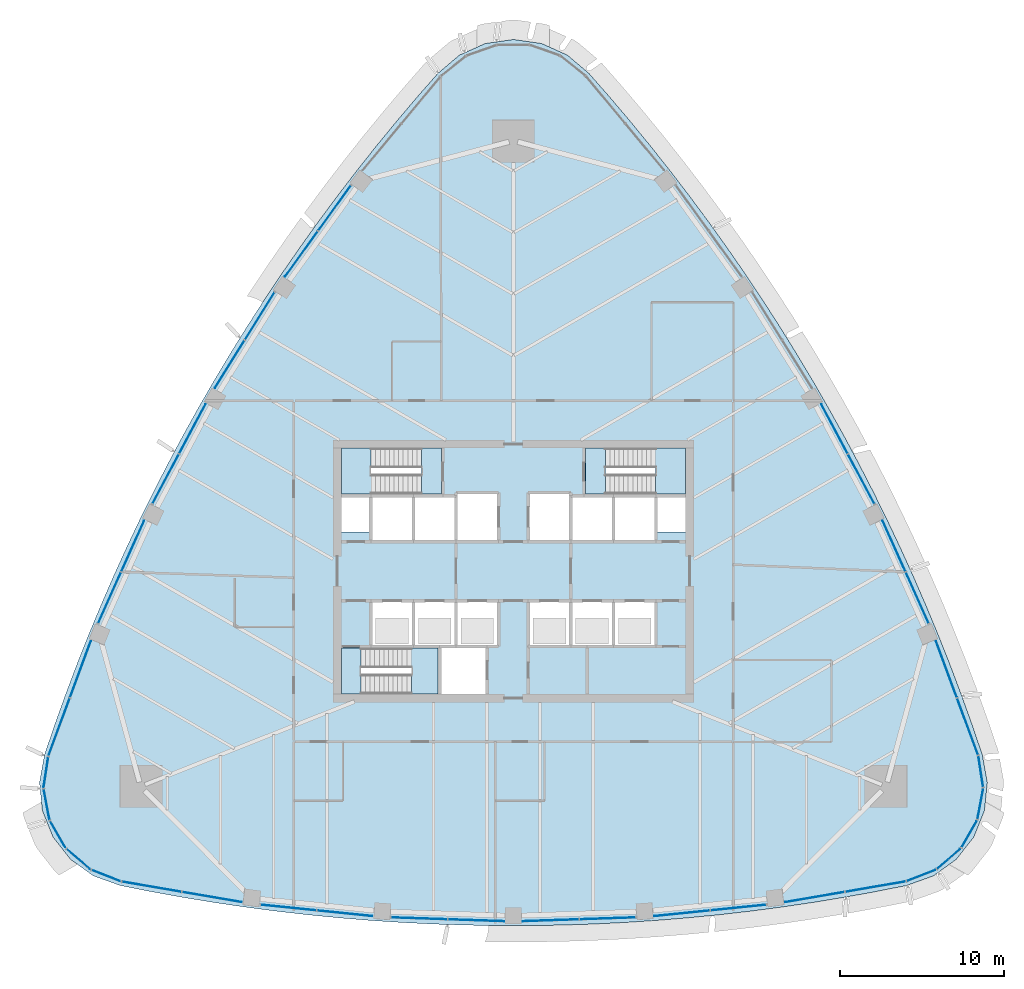
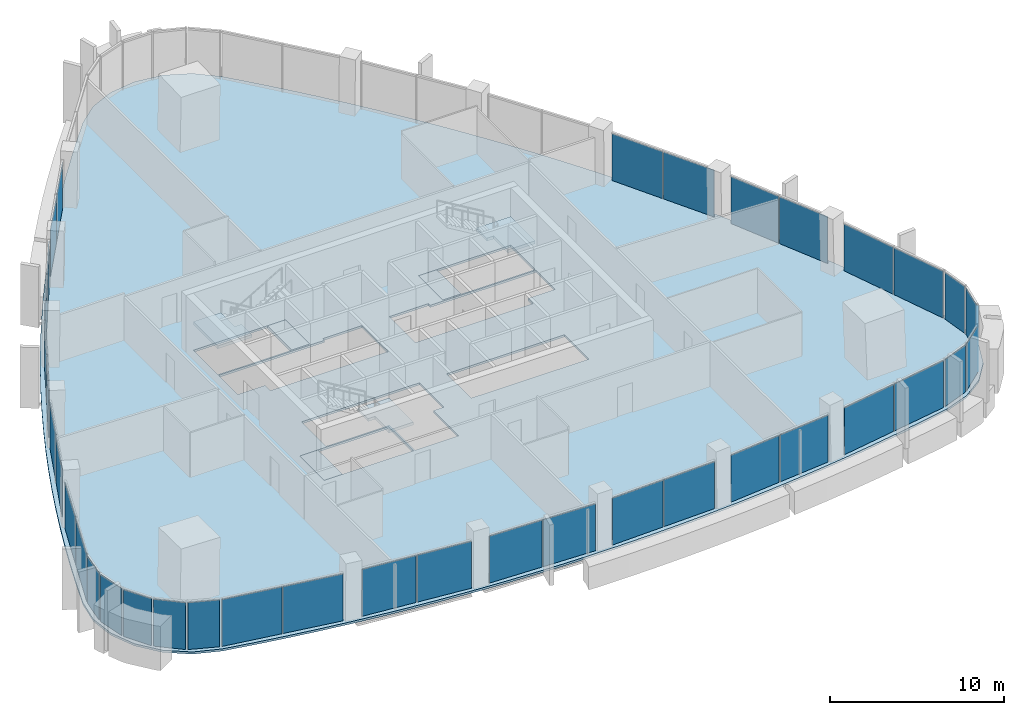
# One storey, part 8 of 19: 38 plates, 7 slabs, 27 elements without a shape of their own.
"""IFC4 building model written with IfcOpenShell, lengths in metres."""

from ifc_helpers import new_model, si_unit, direction, frame, origin, origin_2d, place, context, subcontext, project, spatial, polyline, rectangle, outline, extrude, material, layer, layer_set, type_object, element, aggregate, save


model = new_model("IFC4")

# Units and contexts
model_context = context("Model", 3, precision=1e-05, world=origin(), true_north=direction((0.0, 1.0)))
body_context = subcontext(model_context, "Body", "Model", "MODEL_VIEW")
ifc_project = project(units=[si_unit("LENGTHUNIT", "METRE"), si_unit("AREAUNIT", "SQUARE_METRE"), si_unit("VOLUMEUNIT", "CUBIC_METRE"), si_unit("PLANEANGLEUNIT", "RADIAN"), si_unit("MASSUNIT", "GRAM", prefix="KILO")], contexts=[model_context])

# Site, building, storey
site_placement = place(None, origin())
site = spatial("IfcSite", under=ifc_project, at=site_placement, CompositionType="ELEMENT")
building_placement = place(site_placement, origin())
building = spatial("IfcBuilding", under=site, at=building_placement, Name="Sierra Prisma Convention Tower", CompositionType="ELEMENT")
storey_placement = place(building_placement, frame((0.0, 0.0, 209.800048828125)))
storey = spatial("IfcBuildingStorey", under=building, at=storey_placement, Name="L47", CompositionType="ELEMENT", Elevation=209.800048828125)

# Curtain wall, plates
ifc_material_1 = material(Name="Aluminium and glass curtain wall", Category="aluminium")
ifc_layer_1 = layer(ifc_material_1, 0.179931640625)
ifc_layer_set_1 = layer_set([ifc_layer_1], Name="CW-1 Plain shaft curtain wall")
curtain_wall_type = type_object("IfcCurtainWallType", Name="CW-1 Plain shaft curtain wall", PredefinedType="NOTDEFINED", material=ifc_layer_set_1)
curtain_wall_1_placement = place(storey_placement, origin())
curtain_wall_1 = element("IfcCurtainWall", 1, at=curtain_wall_1_placement, inside=storey, type_object=curtain_wall_type, Name="CW-1 S1 L47", PredefinedType="NOTDEFINED")
ifc_material_2 = material(Name="Tinted glass bronze-grey IGU", Category="glass")
ifc_layer_2 = layer(ifc_material_2, 0.028076171875)
ifc_layer_set_2 = layer_set([ifc_layer_2], Name="CW-1 glass panel")
plate_type = type_object("IfcPlateType", Name="CW-1 glass panel", PredefinedType="CURTAIN_PANEL", material=ifc_layer_set_2)
plate_1_placement = place(storey_placement, frame((-22.064697265625, -19.248779296875, 0.0), z_axis=(0.0, 0.0, 1.0), x_axis=(0.985606551984, -0.1690553894, 0.0)))
plate_1 = element("IfcPlate", 2, at=plate_1_placement, type_object=plate_type, Name="CW-1 panel S1.1", PredefinedType="CURTAIN_PANEL", context=body_context, shape_type="SweptSolid", body=[
    extrude(rectangle(XDim=3.66162109375, YDim=0.028076171875, at=origin_2d()), origin(), (0.0, 0.0, 1.0), 3.280029296875),
])
plate_2_placement = place(storey_placement, frame((-18.38671875, -19.879638671875, 0.0), z_axis=(0.0, 0.0, 1.0), x_axis=(0.985606551984, -0.1690553894, 0.0)))
plate_2 = element("IfcPlate", 3, at=plate_2_placement, type_object=plate_type, Name="CW-1 panel S1.2", PredefinedType="CURTAIN_PANEL", context=body_context, shape_type="SweptSolid", body=[
    extrude(rectangle(XDim=3.66162109375, YDim=0.028076171875, at=origin_2d()), origin(), (0.0, 0.0, 1.0), 3.280029296875),
])
aggregate(curtain_wall_1, [plate_1, plate_2])

curtain_wall_2_placement = place(storey_placement, origin())
curtain_wall_2 = element("IfcCurtainWall", 4, at=curtain_wall_2_placement, inside=storey, type_object=curtain_wall_type, Name="CW-1 S2 L47", PredefinedType="NOTDEFINED")
plate_3_placement = place(storey_placement, frame((-13.72314453125, -20.5205078125, 0.0), z_axis=(0.0, 0.0, 1.0), x_axis=(0.994810375424, -0.101746336288, 0.0)))
plate_3 = element("IfcPlate", 5, at=plate_3_placement, type_object=plate_type, Name="CW-1 panel S2.1", PredefinedType="CURTAIN_PANEL", context=body_context, shape_type="SweptSolid", body=[
    extrude(rectangle(XDim=3.389404296875, YDim=0.028076171875, at=origin_2d()), origin(), (0.0, 0.0, 1.0), 3.280029296875),
])
plate_4_placement = place(storey_placement, frame((-10.28173828125, -20.872314453125, 0.0), z_axis=(0.0, 0.0, 1.0), x_axis=(0.994810375424, -0.101746336288, 0.0)))
plate_4 = element("IfcPlate", 6, at=plate_4_placement, type_object=plate_type, Name="CW-1 panel S2.2", PredefinedType="CURTAIN_PANEL", context=body_context, shape_type="SweptSolid", body=[
    extrude(rectangle(XDim=3.389404296875, YDim=0.028076171875, at=origin_2d()), origin(), (0.0, 0.0, 1.0), 3.280029296875),
])
aggregate(curtain_wall_2, [plate_3, plate_4])

curtain_wall_3_placement = place(storey_placement, origin())
curtain_wall_3 = element("IfcCurtainWall", 7, at=curtain_wall_3_placement, inside=storey, type_object=curtain_wall_type, Name="CW-1 S3 L47", PredefinedType="NOTDEFINED")
plate_5_placement = place(storey_placement, frame((-5.744873046875, -21.180419921875, 0.0), z_axis=(0.0, 0.0, 1.0), x_axis=(0.999422931121, -0.033967701551, 0.0)))
plate_5 = element("IfcPlate", 8, at=plate_5_placement, type_object=plate_type, Name="CW-1 panel S3.1", PredefinedType="CURTAIN_PANEL", context=body_context, shape_type="SweptSolid", body=[
    extrude(rectangle(XDim=3.405517578125, YDim=0.028076171875, at=origin_2d()), origin(), (0.0, 0.0, 1.0), 3.280029296875),
])
plate_6_placement = place(storey_placement, frame((-2.271484375, -21.298583984375, 0.0), z_axis=(0.0, 0.0, 1.0), x_axis=(0.999422931121, -0.033967701551, 0.0)))
plate_6 = element("IfcPlate", 9, at=plate_6_placement, type_object=plate_type, Name="CW-1 panel S3.2", PredefinedType="CURTAIN_PANEL", context=body_context, shape_type="SweptSolid", body=[
    extrude(rectangle(XDim=3.405517578125, YDim=0.028076171875, at=origin_2d()), origin(), (0.0, 0.0, 1.0), 3.280029296875),
])
aggregate(curtain_wall_3, [plate_5, plate_6])

curtain_wall_4_placement = place(storey_placement, origin())
curtain_wall_4 = element("IfcCurtainWall", 10, at=curtain_wall_4_placement, inside=storey, type_object=curtain_wall_type, Name="CW-1 S4 L47", PredefinedType="NOTDEFINED")
plate_7_placement = place(storey_placement, frame((2.271484375, -21.298583984375, 0.0), z_axis=(0.0, 0.0, 1.0), x_axis=(0.999422931121, 0.033967701551, 0.0)))
plate_7 = element("IfcPlate", 11, at=plate_7_placement, type_object=plate_type, Name="CW-1 panel S4.1", PredefinedType="CURTAIN_PANEL", context=body_context, shape_type="SweptSolid", body=[
    extrude(rectangle(XDim=3.405517578125, YDim=0.028076171875, at=origin_2d()), origin(), (0.0, 0.0, 1.0), 3.280029296875),
])
plate_8_placement = place(storey_placement, frame((5.744873046875, -21.180419921875, 0.0), z_axis=(0.0, 0.0, 1.0), x_axis=(0.999422931121, 0.033967701551, 0.0)))
plate_8 = element("IfcPlate", 12, at=plate_8_placement, type_object=plate_type, Name="CW-1 panel S4.2", PredefinedType="CURTAIN_PANEL", context=body_context, shape_type="SweptSolid", body=[
    extrude(rectangle(XDim=3.405517578125, YDim=0.028076171875, at=origin_2d()), origin(), (0.0, 0.0, 1.0), 3.280029296875),
])
aggregate(curtain_wall_4, [plate_7, plate_8])

curtain_wall_5_placement = place(storey_placement, origin())
curtain_wall_5 = element("IfcCurtainWall", 13, at=curtain_wall_5_placement, inside=storey, type_object=curtain_wall_type, Name="CW-1 S5 L47", PredefinedType="NOTDEFINED")
plate_9_placement = place(storey_placement, frame((10.28173828125, -20.872314453125, 0.0), z_axis=(0.0, 0.0, 1.0), x_axis=(0.994810375424, 0.101746336288, 0.0)))
plate_9 = element("IfcPlate", 14, at=plate_9_placement, type_object=plate_type, Name="CW-1 panel S5.1", PredefinedType="CURTAIN_PANEL", context=body_context, shape_type="SweptSolid", body=[
    extrude(rectangle(XDim=3.389404296875, YDim=0.028076171875, at=origin_2d()), origin(), (0.0, 0.0, 1.0), 3.280029296875),
])
plate_10_placement = place(storey_placement, frame((13.72314453125, -20.5205078125, 0.0), z_axis=(0.0, 0.0, 1.0), x_axis=(0.994810375424, 0.101746336288, 0.0)))
plate_10 = element("IfcPlate", 15, at=plate_10_placement, type_object=plate_type, Name="CW-1 panel S5.2", PredefinedType="CURTAIN_PANEL", context=body_context, shape_type="SweptSolid", body=[
    extrude(rectangle(XDim=3.389404296875, YDim=0.028076171875, at=origin_2d()), origin(), (0.0, 0.0, 1.0), 3.280029296875),
])
aggregate(curtain_wall_5, [plate_9, plate_10])

curtain_wall_6_placement = place(storey_placement, origin())
curtain_wall_6 = element("IfcCurtainWall", 16, at=curtain_wall_6_placement, inside=storey, type_object=curtain_wall_type, Name="CW-1 S6 L47", PredefinedType="NOTDEFINED")
plate_11_placement = place(storey_placement, frame((18.38671875, -19.879638671875, 0.0), z_axis=(0.0, 0.0, 1.0), x_axis=(0.985606551984, 0.1690553894, 0.0)))
plate_11 = element("IfcPlate", 17, at=plate_11_placement, type_object=plate_type, Name="CW-1 panel S6.1", PredefinedType="CURTAIN_PANEL", context=body_context, shape_type="SweptSolid", body=[
    extrude(rectangle(XDim=3.66162109375, YDim=0.028076171875, at=origin_2d()), origin(), (0.0, 0.0, 1.0), 3.280029296875),
])
plate_12_placement = place(storey_placement, frame((22.064697265625, -19.248779296875, 0.0), z_axis=(0.0, 0.0, 1.0), x_axis=(0.985606551984, 0.1690553894, 0.0)))
plate_12 = element("IfcPlate", 18, at=plate_12_placement, type_object=plate_type, Name="CW-1 panel S6.2", PredefinedType="CURTAIN_PANEL", context=body_context, shape_type="SweptSolid", body=[
    extrude(rectangle(XDim=3.66162109375, YDim=0.028076171875, at=origin_2d()), origin(), (0.0, 0.0, 1.0), 3.280029296875),
])
aggregate(curtain_wall_6, [plate_11, plate_12])

# Curtain wall, plate
curtain_wall_7_placement = place(storey_placement, origin())
curtain_wall_7 = element("IfcCurtainWall", 19, at=curtain_wall_7_placement, inside=storey, type_object=curtain_wall_type, Name="CW-1 SE1 L47", PredefinedType="NOTDEFINED")
plate_13_placement = place(storey_placement, frame((24.864013671875, -18.565673828125, 0.0), z_axis=(0.0, 0.0, 1.0), x_axis=(0.931414626642, 0.363959878663, 0.0)))
plate_13 = element("IfcPlate", 20, at=plate_13_placement, type_object=plate_type, Name="CW-1 panel SE1.1", PredefinedType="CURTAIN_PANEL", context=body_context, shape_type="SweptSolid", body=[
    extrude(rectangle(XDim=1.84814453125, YDim=0.028076171875, at=origin_2d()), origin(), (0.0, 0.0, 1.0), 3.280029296875),
])
aggregate(curtain_wall_7, [plate_13])

curtain_wall_8_placement = place(storey_placement, origin())
curtain_wall_8 = element("IfcCurtainWall", 21, at=curtain_wall_8_placement, inside=storey, type_object=curtain_wall_type, Name="CW-1 SE2 L47", PredefinedType="NOTDEFINED")
plate_14_placement = place(storey_placement, frame((26.543701171875, -17.555908203125, 0.0), z_axis=(0.0, 0.0, 1.0), x_axis=(0.758455276348, 0.651725090648, 0.0)))
plate_14 = element("IfcPlate", 22, at=plate_14_placement, type_object=plate_type, Name="CW-1 panel SE2.1", PredefinedType="CURTAIN_PANEL", context=body_context, shape_type="SweptSolid", body=[
    extrude(rectangle(XDim=1.84814453125, YDim=0.028076171875, at=origin_2d()), origin(), (0.0, 0.0, 1.0), 3.280029296875),
])
aggregate(curtain_wall_8, [plate_14])

curtain_wall_9_placement = place(storey_placement, origin())
curtain_wall_9 = element("IfcCurtainWall", 23, at=curtain_wall_9_placement, inside=storey, type_object=curtain_wall_type, Name="CW-1 SE3 L47", PredefinedType="NOTDEFINED")
plate_15_placement = place(storey_placement, frame((27.794677734375, -16.04736328125, 0.0), z_axis=(0.0, 0.0, 1.0), x_axis=(0.5, 0.866025403784, 0.0)))
plate_15 = element("IfcPlate", 24, at=plate_15_placement, type_object=plate_type, Name="CW-1 panel SE3.1", PredefinedType="CURTAIN_PANEL", context=body_context, shape_type="SweptSolid", body=[
    extrude(rectangle(XDim=1.84814453125, YDim=0.028076171875, at=origin_2d()), origin(), (0.0, 0.0, 1.0), 3.280029296875),
])
aggregate(curtain_wall_9, [plate_15])

curtain_wall_10_placement = place(storey_placement, origin())
curtain_wall_10 = element("IfcCurtainWall", 25, at=curtain_wall_10_placement, inside=storey, type_object=curtain_wall_type, Name="CW-1 SE4 L47", PredefinedType="NOTDEFINED")
plate_16_placement = place(storey_placement, frame((28.475830078125, -14.20947265625, 0.0), z_axis=(0.0, 0.0, 1.0), x_axis=(0.185182846611, 0.982704082276, 0.0)))
plate_16 = element("IfcPlate", 26, at=plate_16_placement, type_object=plate_type, Name="CW-1 panel SE4.1", PredefinedType="CURTAIN_PANEL", context=body_context, shape_type="SweptSolid", body=[
    extrude(rectangle(XDim=1.84814453125, YDim=0.028076171875, at=origin_2d()), origin(), (0.0, 0.0, 1.0), 3.280029296875),
])
aggregate(curtain_wall_10, [plate_16])

curtain_wall_11_placement = place(storey_placement, origin())
curtain_wall_11 = element("IfcCurtainWall", 27, at=curtain_wall_11_placement, inside=storey, type_object=curtain_wall_type, Name="CW-1 SE5 L47", PredefinedType="NOTDEFINED")
plate_17_placement = place(storey_placement, frame((28.51025390625, -12.25, 0.0), z_axis=(0.0, 0.0, 1.0), x_axis=(-0.150508812441, 0.98860866746, 0.0)))
plate_17 = element("IfcPlate", 28, at=plate_17_placement, type_object=plate_type, Name="CW-1 panel SE5.1", PredefinedType="CURTAIN_PANEL", context=body_context, shape_type="SweptSolid", body=[
    extrude(rectangle(XDim=1.84814453125, YDim=0.028076171875, at=origin_2d()), origin(), (0.0, 0.0, 1.0), 3.280029296875),
])
aggregate(curtain_wall_11, [plate_17])

# Curtain wall, plates
curtain_wall_12_placement = place(storey_placement, origin())
curtain_wall_12 = element("IfcCurtainWall", 29, at=curtain_wall_12_placement, inside=storey, type_object=curtain_wall_type, Name="CW-1 NE1 L47", PredefinedType="NOTDEFINED")
plate_18_placement = place(storey_placement, frame((27.7021484375, -9.484130859375, 0.0), z_axis=(0.0, 0.0, 1.0), x_axis=(-0.346397014125, 0.938088006855, 0.0)))
plate_18 = element("IfcPlate", 30, at=plate_18_placement, type_object=plate_type, Name="CW-1 panel NE1.1", PredefinedType="CURTAIN_PANEL", context=body_context, shape_type="SweptSolid", body=[
    extrude(rectangle(XDim=3.66162109375, YDim=0.028076171875, at=origin_2d()), origin(), (0.0, 0.0, 1.0), 3.280029296875),
])
plate_19_placement = place(storey_placement, frame((26.40966796875, -5.9833984375, 0.0), z_axis=(0.0, 0.0, 1.0), x_axis=(-0.346397014125, 0.938088006855, 0.0)))
plate_19 = element("IfcPlate", 31, at=plate_19_placement, type_object=plate_type, Name="CW-1 panel NE1.2", PredefinedType="CURTAIN_PANEL", context=body_context, shape_type="SweptSolid", body=[
    extrude(rectangle(XDim=3.66162109375, YDim=0.028076171875, at=origin_2d()), origin(), (0.0, 0.0, 1.0), 3.280029296875),
])
aggregate(curtain_wall_12, [plate_18, plate_19])

curtain_wall_13_placement = place(storey_placement, origin())
curtain_wall_13 = element("IfcCurtainWall", 32, at=curtain_wall_13_placement, inside=storey, type_object=curtain_wall_type, Name="CW-1 NE2 L47", PredefinedType="NOTDEFINED")
plate_20_placement = place(storey_placement, frame((24.6328125, -1.62451171875, 0.0), z_axis=(0.0, 0.0, 1.0), x_axis=(-0.409290275745, 0.91240422521, 0.0)))
plate_20 = element("IfcPlate", 33, at=plate_20_placement, type_object=plate_type, Name="CW-1 panel NE2.1", PredefinedType="CURTAIN_PANEL", context=body_context, shape_type="SweptSolid", body=[
    extrude(rectangle(XDim=3.3896484375, YDim=0.028076171875, at=origin_2d()), origin(), (0.0, 0.0, 1.0), 3.280029296875),
])
plate_21_placement = place(storey_placement, frame((23.216796875, 1.531982421875, 0.0), z_axis=(0.0, 0.0, 1.0), x_axis=(-0.409290275745, 0.91240422521, 0.0)))
plate_21 = element("IfcPlate", 34, at=plate_21_placement, type_object=plate_type, Name="CW-1 panel NE2.2", PredefinedType="CURTAIN_PANEL", context=body_context, shape_type="SweptSolid", body=[
    extrude(rectangle(XDim=3.3896484375, YDim=0.028076171875, at=origin_2d()), origin(), (0.0, 0.0, 1.0), 3.280029296875),
])
aggregate(curtain_wall_13, [plate_20, plate_21])

curtain_wall_14_placement = place(storey_placement, origin())
curtain_wall_14 = element("IfcCurtainWall", 35, at=curtain_wall_14_placement, inside=storey, type_object=curtain_wall_type, Name="CW-1 NE3 L47", PredefinedType="NOTDEFINED")
plate_22_placement = place(storey_placement, frame((21.21533203125, 5.614990234375, 0.0), z_axis=(0.0, 0.0, 1.0), x_axis=(-0.47029457311, 0.882509498251, 0.0)))
plate_22 = element("IfcPlate", 36, at=plate_22_placement, type_object=plate_type, Name="CW-1 panel NE3.1", PredefinedType="CURTAIN_PANEL", context=body_context, shape_type="SweptSolid", body=[
    extrude(rectangle(XDim=3.405517578125, YDim=0.028076171875, at=origin_2d()), origin(), (0.0, 0.0, 1.0), 3.280029296875),
])
plate_23_placement = place(storey_placement, frame((19.580810546875, 8.68212890625, 0.0), z_axis=(0.0, 0.0, 1.0), x_axis=(-0.47029457311, 0.882509498251, 0.0)))
plate_23 = element("IfcPlate", 37, at=plate_23_placement, type_object=plate_type, Name="CW-1 panel NE3.2", PredefinedType="CURTAIN_PANEL", context=body_context, shape_type="SweptSolid", body=[
    extrude(rectangle(XDim=3.405517578125, YDim=0.028076171875, at=origin_2d()), origin(), (0.0, 0.0, 1.0), 3.280029296875),
])
aggregate(curtain_wall_14, [plate_22, plate_23])

curtain_wall_15_placement = place(storey_placement, origin())
curtain_wall_15 = element("IfcCurtainWall", 38, at=curtain_wall_15_placement, inside=storey, type_object=curtain_wall_type, Name="CW-1 NW2 L47", PredefinedType="NOTDEFINED")
plate_24_placement = place(storey_placement, frame((-10.90966796875, 22.14501953125, 0.0), z_axis=(0.0, 0.0, 1.0), x_axis=(-0.585520099679, -0.810657888922, 0.0)))
plate_24 = element("IfcPlate", 39, at=plate_24_placement, type_object=plate_type, Name="CW-1 panel NW2.1", PredefinedType="CURTAIN_PANEL", context=body_context, shape_type="SweptSolid", body=[
    extrude(rectangle(XDim=3.389404296875, YDim=0.028076171875, at=origin_2d()), origin(), (0.0, 0.0, 1.0), 3.280029296875),
])
plate_25_placement = place(storey_placement, frame((-12.935302734375, 19.34033203125, 0.0), z_axis=(0.0, 0.0, 1.0), x_axis=(-0.585520099679, -0.810657888922, 0.0)))
plate_25 = element("IfcPlate", 40, at=plate_25_placement, type_object=plate_type, Name="CW-1 panel NW2.2", PredefinedType="CURTAIN_PANEL", context=body_context, shape_type="SweptSolid", body=[
    extrude(rectangle(XDim=3.389404296875, YDim=0.028076171875, at=origin_2d()), origin(), (0.0, 0.0, 1.0), 3.280029296875),
])
aggregate(curtain_wall_15, [plate_24, plate_25])

curtain_wall_16_placement = place(storey_placement, origin())
curtain_wall_16 = element("IfcCurtainWall", 41, at=curtain_wall_16_placement, inside=storey, type_object=curtain_wall_type, Name="CW-1 NW3 L47", PredefinedType="NOTDEFINED")
plate_26_placement = place(storey_placement, frame((-15.470458984375, 15.5654296875, 0.0), z_axis=(0.0, 0.0, 1.0), x_axis=(-0.529128358012, -0.848541796701, 0.0)))
plate_26 = element("IfcPlate", 42, at=plate_26_placement, type_object=plate_type, Name="CW-1 panel NW3.1", PredefinedType="CURTAIN_PANEL", context=body_context, shape_type="SweptSolid", body=[
    extrude(rectangle(XDim=3.405517578125, YDim=0.028076171875, at=origin_2d()), origin(), (0.0, 0.0, 1.0), 3.280029296875),
])
plate_27_placement = place(storey_placement, frame((-17.309326171875, 12.616455078125, 0.0), z_axis=(0.0, 0.0, 1.0), x_axis=(-0.529128358012, -0.848541796701, 0.0)))
plate_27 = element("IfcPlate", 43, at=plate_27_placement, type_object=plate_type, Name="CW-1 panel NW3.2", PredefinedType="CURTAIN_PANEL", context=body_context, shape_type="SweptSolid", body=[
    extrude(rectangle(XDim=3.405517578125, YDim=0.028076171875, at=origin_2d()), origin(), (0.0, 0.0, 1.0), 3.280029296875),
])
aggregate(curtain_wall_16, [plate_26, plate_27])

curtain_wall_17_placement = place(storey_placement, origin())
curtain_wall_17 = element("IfcCurtainWall", 44, at=curtain_wall_17_placement, inside=storey, type_object=curtain_wall_type, Name="CW-1 NW4 L47", PredefinedType="NOTDEFINED")
plate_28_placement = place(storey_placement, frame((-19.580810546875, 8.68212890625, 0.0), z_axis=(0.0, 0.0, 1.0), x_axis=(-0.47029457311, -0.882509498251, 0.0)))
plate_28 = element("IfcPlate", 45, at=plate_28_placement, type_object=plate_type, Name="CW-1 panel NW4.1", PredefinedType="CURTAIN_PANEL", context=body_context, shape_type="SweptSolid", body=[
    extrude(rectangle(XDim=3.405517578125, YDim=0.028076171875, at=origin_2d()), origin(), (0.0, 0.0, 1.0), 3.280029296875),
])
plate_29_placement = place(storey_placement, frame((-21.21533203125, 5.614990234375, 0.0), z_axis=(0.0, 0.0, 1.0), x_axis=(-0.47029457311, -0.882509498251, 0.0)))
plate_29 = element("IfcPlate", 46, at=plate_29_placement, type_object=plate_type, Name="CW-1 panel NW4.2", PredefinedType="CURTAIN_PANEL", context=body_context, shape_type="SweptSolid", body=[
    extrude(rectangle(XDim=3.405517578125, YDim=0.028076171875, at=origin_2d()), origin(), (0.0, 0.0, 1.0), 3.280029296875),
])
aggregate(curtain_wall_17, [plate_28, plate_29])

curtain_wall_18_placement = place(storey_placement, origin())
curtain_wall_18 = element("IfcCurtainWall", 47, at=curtain_wall_18_placement, inside=storey, type_object=curtain_wall_type, Name="CW-1 NW5 L47", PredefinedType="NOTDEFINED")
plate_30_placement = place(storey_placement, frame((-23.216796875, 1.531982421875, 0.0), z_axis=(0.0, 0.0, 1.0), x_axis=(-0.409290275745, -0.91240422521, 0.0)))
plate_30 = element("IfcPlate", 48, at=plate_30_placement, type_object=plate_type, Name="CW-1 panel NW5.1", PredefinedType="CURTAIN_PANEL", context=body_context, shape_type="SweptSolid", body=[
    extrude(rectangle(XDim=3.389404296875, YDim=0.028076171875, at=origin_2d()), origin(), (0.0, 0.0, 1.0), 3.280029296875),
])
plate_31_placement = place(storey_placement, frame((-24.6328125, -1.62451171875, 0.0), z_axis=(0.0, 0.0, 1.0), x_axis=(-0.409290275745, -0.91240422521, 0.0)))
plate_31 = element("IfcPlate", 49, at=plate_31_placement, type_object=plate_type, Name="CW-1 panel NW5.2", PredefinedType="CURTAIN_PANEL", context=body_context, shape_type="SweptSolid", body=[
    extrude(rectangle(XDim=3.389404296875, YDim=0.028076171875, at=origin_2d()), origin(), (0.0, 0.0, 1.0), 3.280029296875),
])
aggregate(curtain_wall_18, [plate_30, plate_31])

curtain_wall_19_placement = place(storey_placement, origin())
curtain_wall_19 = element("IfcCurtainWall", 50, at=curtain_wall_19_placement, inside=storey, type_object=curtain_wall_type, Name="CW-1 NW6 L47", PredefinedType="NOTDEFINED")
plate_32_placement = place(storey_placement, frame((-26.40966796875, -5.9833984375, 0.0), z_axis=(0.0, 0.0, 1.0), x_axis=(-0.346397014125, -0.938088006855, 0.0)))
plate_32 = element("IfcPlate", 51, at=plate_32_placement, type_object=plate_type, Name="CW-1 panel NW6.1", PredefinedType="CURTAIN_PANEL", context=body_context, shape_type="SweptSolid", body=[
    extrude(rectangle(XDim=3.66162109375, YDim=0.028076171875, at=origin_2d()), origin(), (0.0, 0.0, 1.0), 3.280029296875),
])
plate_33_placement = place(storey_placement, frame((-27.7021484375, -9.484130859375, 0.0), z_axis=(0.0, 0.0, 1.0), x_axis=(-0.346397014125, -0.938088006855, 0.0)))
plate_33 = element("IfcPlate", 52, at=plate_33_placement, type_object=plate_type, Name="CW-1 panel NW6.2", PredefinedType="CURTAIN_PANEL", context=body_context, shape_type="SweptSolid", body=[
    extrude(rectangle(XDim=3.66162109375, YDim=0.028076171875, at=origin_2d()), origin(), (0.0, 0.0, 1.0), 3.280029296875),
])
aggregate(curtain_wall_19, [plate_32, plate_33])

# Curtain wall, plate
curtain_wall_20_placement = place(storey_placement, origin())
curtain_wall_20 = element("IfcCurtainWall", 53, at=curtain_wall_20_placement, inside=storey, type_object=curtain_wall_type, Name="CW-1 SW1 L47", PredefinedType="NOTDEFINED")
plate_34_placement = place(storey_placement, frame((-28.51025390625, -12.25, 0.0), z_axis=(0.0, 0.0, 1.0), x_axis=(-0.150508812441, -0.98860866746, 0.0)))
plate_34 = element("IfcPlate", 54, at=plate_34_placement, type_object=plate_type, Name="CW-1 panel SW1.1", PredefinedType="CURTAIN_PANEL", context=body_context, shape_type="SweptSolid", body=[
    extrude(rectangle(XDim=1.84814453125, YDim=0.028076171875, at=origin_2d()), origin(), (0.0, 0.0, 1.0), 3.280029296875),
])
aggregate(curtain_wall_20, [plate_34])

curtain_wall_21_placement = place(storey_placement, origin())
curtain_wall_21 = element("IfcCurtainWall", 55, at=curtain_wall_21_placement, inside=storey, type_object=curtain_wall_type, Name="CW-1 SW2 L47", PredefinedType="NOTDEFINED")
plate_35_placement = place(storey_placement, frame((-28.475830078125, -14.20947265625, 0.0), z_axis=(0.0, 0.0, 1.0), x_axis=(0.185182846611, -0.982704082276, 0.0)))
plate_35 = element("IfcPlate", 56, at=plate_35_placement, type_object=plate_type, Name="CW-1 panel SW2.1", PredefinedType="CURTAIN_PANEL", context=body_context, shape_type="SweptSolid", body=[
    extrude(rectangle(XDim=1.84814453125, YDim=0.028076171875, at=origin_2d()), origin(), (0.0, 0.0, 1.0), 3.280029296875),
])
aggregate(curtain_wall_21, [plate_35])

curtain_wall_22_placement = place(storey_placement, origin())
curtain_wall_22 = element("IfcCurtainWall", 57, at=curtain_wall_22_placement, inside=storey, type_object=curtain_wall_type, Name="CW-1 SW3 L47", PredefinedType="NOTDEFINED")
plate_36_placement = place(storey_placement, frame((-27.794677734375, -16.04736328125, 0.0), z_axis=(0.0, 0.0, 1.0), x_axis=(0.5, -0.866025403784, 0.0)))
plate_36 = element("IfcPlate", 58, at=plate_36_placement, type_object=plate_type, Name="CW-1 panel SW3.1", PredefinedType="CURTAIN_PANEL", context=body_context, shape_type="SweptSolid", body=[
    extrude(rectangle(XDim=1.84814453125, YDim=0.028076171875, at=origin_2d()), origin(), (0.0, 0.0, 1.0), 3.280029296875),
])
aggregate(curtain_wall_22, [plate_36])

curtain_wall_23_placement = place(storey_placement, origin())
curtain_wall_23 = element("IfcCurtainWall", 59, at=curtain_wall_23_placement, inside=storey, type_object=curtain_wall_type, Name="CW-1 SW4 L47", PredefinedType="NOTDEFINED")
plate_37_placement = place(storey_placement, frame((-26.543701171875, -17.555908203125, 0.0), z_axis=(0.0, 0.0, 1.0), x_axis=(0.758455276348, -0.651725090648, 0.0)))
plate_37 = element("IfcPlate", 60, at=plate_37_placement, type_object=plate_type, Name="CW-1 panel SW4.1", PredefinedType="CURTAIN_PANEL", context=body_context, shape_type="SweptSolid", body=[
    extrude(rectangle(XDim=1.84814453125, YDim=0.028076171875, at=origin_2d()), origin(), (0.0, 0.0, 1.0), 3.280029296875),
])
aggregate(curtain_wall_23, [plate_37])

curtain_wall_24_placement = place(storey_placement, origin())
curtain_wall_24 = element("IfcCurtainWall", 61, at=curtain_wall_24_placement, inside=storey, type_object=curtain_wall_type, Name="CW-1 SW5 L47", PredefinedType="NOTDEFINED")
plate_38_placement = place(storey_placement, frame((-24.864013671875, -18.565673828125, 0.0), z_axis=(0.0, 0.0, 1.0), x_axis=(0.931414626642, -0.363959878663, 0.0)))
plate_38 = element("IfcPlate", 62, at=plate_38_placement, type_object=plate_type, Name="CW-1 panel SW5.1", PredefinedType="CURTAIN_PANEL", context=body_context, shape_type="SweptSolid", body=[
    extrude(rectangle(XDim=1.84814453125, YDim=0.028076171875, at=origin_2d()), origin(), (0.0, 0.0, 1.0), 3.280029296875),
])
aggregate(curtain_wall_24, [plate_38])

# Slab
ifc_material_3 = material(Name="Concrete C35/45", Category="concrete")
ifc_layer_3 = layer(ifc_material_3, 0.14990234375)
ifc_layer_set_3 = layer_set([ifc_layer_3], Name="Composite floor slab 150")
slab_type_1 = type_object("IfcSlabType", Name="Composite floor slab 150", PredefinedType="FLOOR", material=ifc_layer_set_3)
slab_1_placement = place(storey_placement, frame((0.0, 0.0, -0.150146484375)))
element("IfcSlab", 63, at=slab_1_placement, inside=storey, type_object=slab_type_1, Name="Floor slab L47 floor", PredefinedType="FLOOR", context=body_context, shape_type="SweptSolid", body=[
    extrude(outline(polyline([(-23.98876953125, -19.172119140625), (-22.093017578125, -19.5478515625), (-20.191650390625, -19.892822265625), (-18.284912109375, -20.20654296875), (-16.373291015625, -20.489013671875), (-14.457275390625, -20.740478515625), (-12.537353515625, -20.960693359375), (-10.6142578125, -21.1494140625), (-8.688232421875, -21.306884765625), (-6.760009765625, -21.432861328125), (-4.829833984375, -21.52734375), (-2.8984375, -21.59033203125), (-0.96630859375, -21.621826171875), (0.96630859375, -21.621826171875), (2.8984375, -21.59033203125), (4.829833984375, -21.52734375), (6.760009765625, -21.432861328125), (8.688232421875, -21.306884765625), (10.6142578125, -21.1494140625), (12.537353515625, -20.960693359375), (14.457275390625, -20.740478515625), (16.373291015625, -20.489013671875), (18.284912109375, -20.20654296875), (20.191650390625, -19.892822265625), (22.093017578125, -19.5478515625), (23.98876953125, -19.172119140625), (25.6162109375, -18.58837890625), (27.01806640625, -17.575927734375), (28.083984375, -16.21435546875), (28.730224609375, -14.6103515625), (28.90625, -12.89013671875), (28.597900390625, -11.188720703125), (27.9755859375, -9.359130859375), (27.323486328125, -7.5400390625), (26.641845703125, -5.73193359375), (25.9306640625, -3.93505859375), (25.1904296875, -2.150146484375), (24.421142578125, -0.37744140625), (23.623046875, 1.382568359375), (22.79638671875, 3.129150390625), (21.941162109375, 4.862060546875), (21.05810546875, 6.580810546875), (20.14697265625, 8.28515625), (19.2080078125, 9.97412109375), (18.241943359375, 11.647705078125), (17.24853515625, 13.30517578125), (16.228271484375, 14.9462890625), (15.181396484375, 16.570556640625), (14.108154296875, 18.177490234375), (13.0087890625, 19.766845703125), (11.8837890625, 21.338134765625), (10.733154296875, 22.890625), (9.557373046875, 24.42431640625), (8.35693359375, 25.9384765625), (7.1318359375, 27.432861328125), (5.882568359375, 28.9072265625), (4.609375, 30.36083984375), (3.289794921875, 31.478515625), (1.712158203125, 32.186279296875), (0.0, 32.428466796875), (-1.712158203125, 32.186279296875), (-3.289794921875, 31.478515625), (-4.609375, 30.36083984375), (-5.882568359375, 28.9072265625), (-7.1318359375, 27.432861328125), (-8.35693359375, 25.9384765625), (-9.557373046875, 24.42431640625), (-10.733154296875, 22.890625), (-11.8837890625, 21.338134765625), (-13.0087890625, 19.766845703125), (-14.108154296875, 18.177490234375), (-15.181396484375, 16.570556640625), (-16.228271484375, 14.9462890625), (-17.24853515625, 13.30517578125), (-18.241943359375, 11.647705078125), (-19.2080078125, 9.97412109375), (-20.14697265625, 8.28515625), (-21.05810546875, 6.580810546875), (-21.941162109375, 4.862060546875), (-22.79638671875, 3.129150390625), (-23.623046875, 1.382568359375), (-24.421142578125, -0.37744140625), (-25.1904296875, -2.150146484375), (-25.9306640625, -3.93505859375), (-26.641845703125, -5.73193359375), (-27.323486328125, -7.5400390625), (-27.9755859375, -9.359130859375), (-28.597900390625, -11.188720703125), (-28.90625, -12.89013671875), (-28.730224609375, -14.6103515625), (-28.083984375, -16.21435546875), (-27.01806640625, -17.575927734375), (-25.6162109375, -18.58837890625), (-23.98876953125, -19.172119140625)]), holes=[polyline([(-4.60009765625, -7.5), (-10.5, -7.5), (-10.5, -4.699951171875), (-4.60009765625, -4.699951171875), (-4.60009765625, -7.5)]), polyline([(-8.699951171875, -4.60009765625), (-8.699951171875, -1.800048828125), (-6.10009765625, -1.800048828125), (-3.5, -1.800048828125), (-0.89990234375, -1.800048828125), (-0.89990234375, -4.60009765625), (-1.60009765625, -4.60009765625), (-1.60009765625, -7.5), (-4.5, -7.5), (-4.5, -4.60009765625), (-6.10009765625, -4.60009765625), (-8.699951171875, -4.60009765625)]), polyline([(-10.5, 4.60009765625), (-8.699951171875, 4.60009765625), (-6.10009765625, 4.60009765625), (-3.5, 4.60009765625), (-3.5, 4.800048828125), (-0.89990234375, 4.800048828125), (-0.89990234375, 1.800048828125), (-3.5, 1.800048828125), (-6.10009765625, 1.800048828125), (-8.699951171875, 1.800048828125), (-8.699951171875, 2.39990234375), (-10.5, 2.39990234375), (-10.5, 4.60009765625)]), polyline([(-10.5, 4.699951171875), (-10.5, 7.5), (-4.39990234375, 7.5), (-4.39990234375, 4.699951171875), (-10.5, 4.699951171875)]), polyline([(6.10009765625, -1.800048828125), (8.699951171875, -1.800048828125), (8.699951171875, -4.60009765625), (6.10009765625, -4.60009765625), (3.5, -4.60009765625), (0.89990234375, -4.60009765625), (0.89990234375, -1.800048828125), (3.5, -1.800048828125), (6.10009765625, -1.800048828125)]), polyline([(8.699951171875, 4.60009765625), (10.5, 4.60009765625), (10.5, 2.39990234375), (8.699951171875, 2.39990234375), (8.699951171875, 1.800048828125), (6.10009765625, 1.800048828125), (3.5, 1.800048828125), (0.89990234375, 1.800048828125), (0.89990234375, 4.800048828125), (3.5, 4.800048828125), (3.5, 4.60009765625), (6.10009765625, 4.60009765625), (8.699951171875, 4.60009765625)]), polyline([(4.39990234375, 4.699951171875), (4.39990234375, 7.5), (10.5, 7.5), (10.5, 4.699951171875), (4.39990234375, 4.699951171875)])]), origin(), (0.0, 0.0, 1.0), 0.150146484375),
])

# Stair, slab
ifc_material_4 = material(Name="Concrete C30/37", Category="concrete")
stair_type = type_object("IfcStairType", Name="Stair dog-leg 1200 RC", PredefinedType="HALF_TURN_STAIR", material=ifc_material_4)
stair_1_placement = place(storey_placement, origin())
stair_1 = element("IfcStair", 64, at=stair_1_placement, inside=storey, type_object=stair_type, Name="L47 S1", PredefinedType="HALF_TURN_STAIR")
ifc_material_5 = material(Name="Concrete C35/45", Category="concrete")
ifc_layer_4 = layer(ifc_material_5, 0.199951171875)
ifc_layer_set_4 = layer_set([ifc_layer_4], Name="Stair landing slab")
slab_type_2 = type_object("IfcSlabType", Name="Stair landing slab", PredefinedType="LANDING", material=ifc_layer_set_4)
slab_2_placement = place(storey_placement, frame((0.0, 0.0, 1.800048828125)))
slab_2 = element("IfcSlab", 65, at=slab_2_placement, type_object=slab_type_2, Name="S1 landing 1", PredefinedType="LANDING", context=body_context, shape_type="SweptSolid", body=[
    extrude(outline(polyline([(-4.60009765625, -4.699951171875), (-4.60009765625, -7.5), (-6.221923828125, -7.5), (-6.221923828125, -5.89990234375), (-6.669921875, -5.89990234375), (-6.669921875, -4.699951171875), (-4.60009765625, -4.699951171875)])), origin(), (0.0, 0.0, 1.0), 0.199951171875),
])
aggregate(stair_1, [slab_2])

# Slab
slab_3_placement = place(storey_placement, frame((0.0, 0.0, -0.199951171875)))
element("IfcSlab", 66, at=slab_3_placement, inside=storey, type_object=slab_type_2, Name="S1 floor landing L47", PredefinedType="LANDING", context=body_context, shape_type="SweptSolid", body=[
    extrude(outline(polyline([(-10.5, -7.5), (-9.298095703125, -7.5), (-9.298095703125, -4.699951171875), (-10.5, -4.699951171875), (-10.5, -7.5)])), origin(), (0.0, 0.0, 1.0), 0.199951171875),
])

# Stair, slab
stair_2_placement = place(storey_placement, origin())
stair_2 = element("IfcStair", 67, at=stair_2_placement, inside=storey, type_object=stair_type, Name="L47 S3", PredefinedType="HALF_TURN_STAIR")
slab_4_placement = place(storey_placement, frame((0.0, 0.0, 1.800048828125)))
slab_4 = element("IfcSlab", 68, at=slab_4_placement, type_object=slab_type_2, Name="S3 landing 1", PredefinedType="LANDING", context=body_context, shape_type="SweptSolid", body=[
    extrude(outline(polyline([(-8.22998046875, 5.89990234375), (-8.22998046875, 4.699951171875), (-10.5, 4.699951171875), (-10.5, 7.5), (-8.677978515625, 7.5), (-8.677978515625, 5.89990234375), (-8.22998046875, 5.89990234375)])), origin(), (0.0, 0.0, 1.0), 0.199951171875),
])
aggregate(stair_2, [slab_4])

# Slab
slab_5_placement = place(storey_placement, frame((0.0, 0.0, -0.199951171875)))
element("IfcSlab", 69, at=slab_5_placement, inside=storey, type_object=slab_type_2, Name="S3 floor landing L47", PredefinedType="LANDING", context=body_context, shape_type="SweptSolid", body=[
    extrude(outline(polyline([(-4.39990234375, 7.5), (-5.60205078125, 7.5), (-5.60205078125, 4.699951171875), (-4.39990234375, 4.699951171875), (-4.39990234375, 7.5)])), origin(), (0.0, 0.0, 1.0), 0.199951171875),
])

# Stair, slab
stair_3_placement = place(storey_placement, origin())
stair_3 = element("IfcStair", 70, at=stair_3_placement, inside=storey, type_object=stair_type, Name="L47 S4", PredefinedType="HALF_TURN_STAIR")
slab_6_placement = place(storey_placement, frame((0.0, 0.0, 1.800048828125)))
slab_6 = element("IfcSlab", 71, at=slab_6_placement, type_object=slab_type_2, Name="S4 landing 1", PredefinedType="LANDING", context=body_context, shape_type="SweptSolid", body=[
    extrude(outline(polyline([(10.5, 7.5), (10.5, 4.699951171875), (8.677978515625, 4.699951171875), (8.677978515625, 6.300048828125), (8.22998046875, 6.300048828125), (8.22998046875, 7.5), (10.5, 7.5)])), origin(), (0.0, 0.0, 1.0), 0.199951171875),
])
aggregate(stair_3, [slab_6])

# Slab
slab_7_placement = place(storey_placement, frame((0.0, 0.0, -0.199951171875)))
element("IfcSlab", 72, at=slab_7_placement, inside=storey, type_object=slab_type_2, Name="S4 floor landing L47", PredefinedType="LANDING", context=body_context, shape_type="SweptSolid", body=[
    extrude(outline(polyline([(4.39990234375, 4.699951171875), (5.60205078125, 4.699951171875), (5.60205078125, 7.5), (4.39990234375, 7.5), (4.39990234375, 4.699951171875)])), origin(), (0.0, 0.0, 1.0), 0.199951171875),
])

save(model, "model.ifc")
